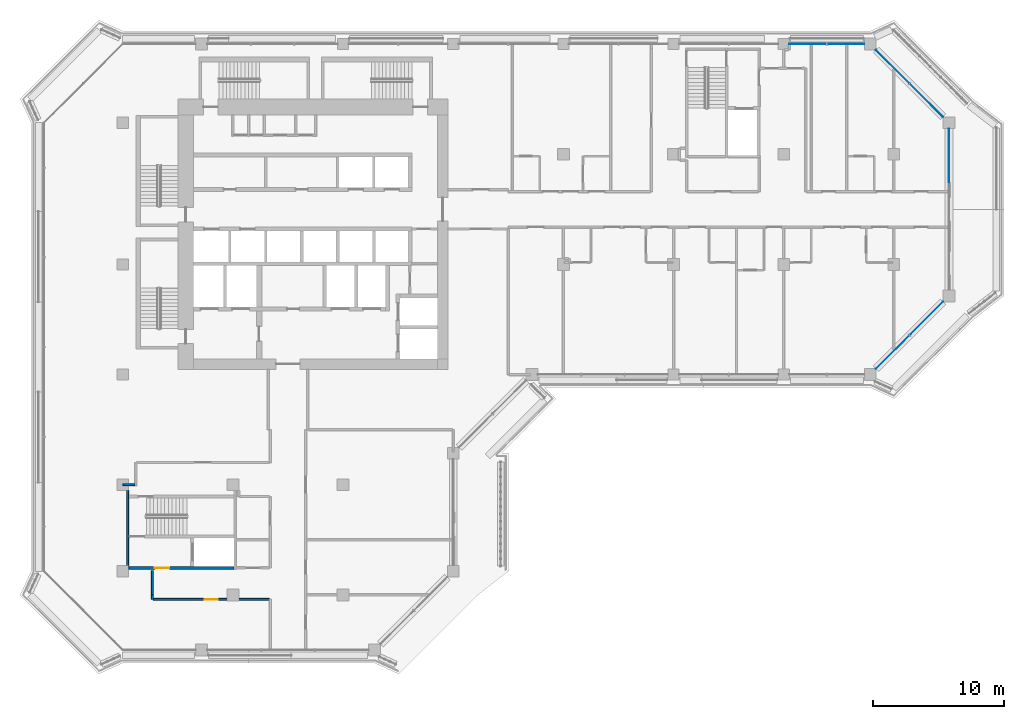
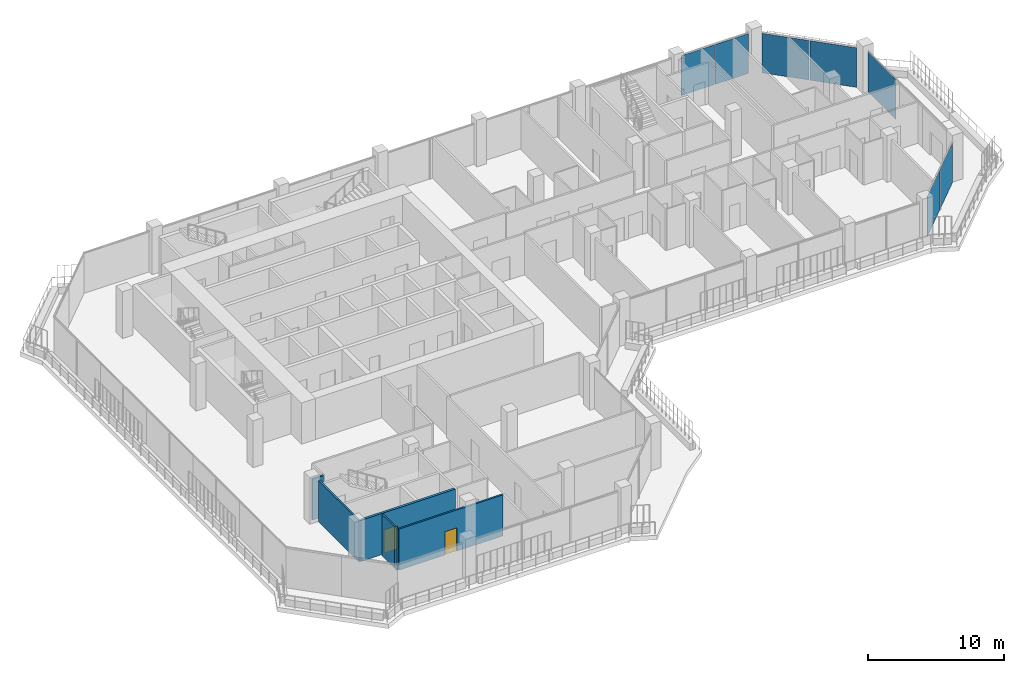
# One storey, part 9 of 23: 7 plates, 6 walls, 2 doors, 2 openings, 4 elements without a shape of their own.
"""IFC4 building model written with IfcOpenShell, lengths in metres."""

from ifc_helpers import new_model, si_unit, direction, frame, frame_2d, origin, origin_2d, place, context, subcontext, project, spatial, rectangle, extrude, material, layer, layer_set, type_object, element, fill, aggregate, save


model = new_model("IFC4")

# Units and contexts
model_context = context("Model", 3, precision=1e-05, world=origin(), true_north=direction((0.0, 1.0)))
body_context = subcontext(model_context, "Body", "Model", "MODEL_VIEW")
ifc_project = project(units=[si_unit("LENGTHUNIT", "METRE"), si_unit("AREAUNIT", "SQUARE_METRE"), si_unit("VOLUMEUNIT", "CUBIC_METRE"), si_unit("PLANEANGLEUNIT", "RADIAN"), si_unit("MASSUNIT", "GRAM", prefix="KILO")], contexts=[model_context])

# Site, building, storey
site_placement = place(None, origin())
site = spatial("IfcSite", under=ifc_project, at=site_placement, CompositionType="ELEMENT")
building_placement = place(site_placement, origin())
building = spatial("IfcBuilding", under=site, at=building_placement, Name="Kawkab Arch Medical Tower", CompositionType="ELEMENT")
storey_placement = place(building_placement, frame((0.0, 0.0, 268.39990234375)))
storey = spatial("IfcBuildingStorey", under=building, at=storey_placement, Name="L62", CompositionType="ELEMENT", Elevation=268.39990234375)

# Curtain wall, plate
ifc_material_1 = material(Name="Bronze anodised aluminium curtain wall frame", Category="aluminium")
ifc_layer_1 = layer(ifc_material_1, 0.159912109375)
ifc_layer_set_1 = layer_set([ifc_layer_1], Name="Bronze anodised aluminium curtain wall frame")
curtain_wall_type_1 = type_object("IfcCurtainWallType", Name="CW1 ward curtain wall", PredefinedType="NOTDEFINED", material=ifc_layer_set_1)
placement = place(storey_placement, origin())
curtain_wall_1 = element("IfcCurtainWall", 1, at=placement, inside=storey, type_object=curtain_wall_type_1, Name="CW1 Ward curtain wall R09", PredefinedType="NOTDEFINED")
ifc_material_2 = material(Name="Tinted insulating glass, bronze low-e coating", Category="glass")
ifc_layer_2 = layer(ifc_material_2, 0.031982421875)
ifc_layer_set_2 = layer_set([ifc_layer_2], Name="Tinted insulating glass, bronze low-e coating")
plate_type_1 = type_object("IfcPlateType", Name="CW1 glazing unit 32", PredefinedType="CURTAIN_PANEL", material=ifc_layer_set_2)
plate_1_placement = place(storey_placement, frame((63.0, -8.5, 0.0), z_axis=(0.0, 0.0, 1.0), x_axis=(0.0, 1.0, 0.0)))
plate_1 = element("IfcPlate", 2, at=plate_1_placement, type_object=plate_type_1, Name="CW1 glazing unit 1.3", PredefinedType="CURTAIN_PANEL", context=body_context, shape_type="SweptSolid", body=[
    extrude(rectangle(XDim=4.10009765625, YDim=0.031982421875, at=origin_2d()), origin(), (0.0, 0.0, 1.0), 3.580078125),
])
aggregate(curtain_wall_1, [plate_1])

# Curtain wall, plates
curtain_wall_2 = element("IfcCurtainWall", 3, at=placement, inside=storey, type_object=curtain_wall_type_1, Name="CW1 Ward curtain wall R11", PredefinedType="NOTDEFINED")
plate_2_placement = place(storey_placement, frame((55.1337890625, 0.0, 0.0), z_axis=(0.0, 0.0, 1.0), x_axis=(-1.0, 0.0, 0.0)))
plate_2 = element("IfcPlate", 4, at=plate_2_placement, type_object=plate_type_1, Name="CW1 glazing unit 1.1", PredefinedType="CURTAIN_PANEL", context=body_context, shape_type="SweptSolid", body=[
    extrude(rectangle(XDim=2.83251953125, YDim=0.031982421875, at=origin_2d()), origin(), (0.0, 0.0, 1.0), 3.580078125),
])
plate_3_placement = place(storey_placement, frame((52.2412109375, 0.0, 0.0), z_axis=(0.0, 0.0, 1.0), x_axis=(-1.0, 0.0, 0.0)))
plate_3 = element("IfcPlate", 5, at=plate_3_placement, type_object=plate_type_1, Name="CW1 glazing unit 1.2", PredefinedType="CURTAIN_PANEL", context=body_context, shape_type="SweptSolid", body=[
    extrude(rectangle(XDim=2.83251953125, YDim=0.031982421875, at=origin_2d()), origin(), (0.0, 0.0, 1.0), 3.580078125),
])
aggregate(curtain_wall_2, [plate_2, plate_3])

ifc_material_3 = material(Name="Bronze anodised aluminium curtain wall frame", Category="aluminium")
ifc_layer_3 = layer(ifc_material_3, 0.159912109375)
ifc_layer_set_3 = layer_set([ifc_layer_3], Name="Bronze anodised aluminium curtain wall frame")
curtain_wall_type_2 = type_object("IfcCurtainWallType", Name="CW2 chamfer curtain wall", PredefinedType="NOTDEFINED", material=ifc_layer_set_3)
curtain_wall_3 = element("IfcCurtainWall", 6, at=placement, inside=storey, type_object=curtain_wall_type_2, Name="CW2 Chamfer curtain wall R08", PredefinedType="NOTDEFINED")
ifc_material_4 = material(Name="Tinted insulating glass, bronze low-e coating", Category="glass")
ifc_layer_4 = layer(ifc_material_4, 0.031982421875)
ifc_layer_set_4 = layer_set([ifc_layer_4], Name="Tinted insulating glass, bronze low-e coating")
plate_type_2 = type_object("IfcPlateType", Name="CW2 glazing unit 32", PredefinedType="CURTAIN_PANEL", material=ifc_layer_set_4)
plate_4_placement = place(storey_placement, frame((58.71435546875, -23.485595703125, 0.0), z_axis=(0.0, 0.0, 1.0), x_axis=(0.707106781187, 0.707106781187, 0.0)))
plate_4 = element("IfcPlate", 7, at=plate_4_placement, type_object=plate_type_2, Name="CW2 glazing unit 1.1", PredefinedType="CURTAIN_PANEL", context=body_context, shape_type="SweptSolid", body=[
    extrude(rectangle(XDim=3.576171875, YDim=0.031982421875, at=origin_2d()), origin(), (0.0, 0.0, 1.0), 3.56005859375),
])
plate_5_placement = place(storey_placement, frame((61.28564453125, -20.914306640625, 0.0), z_axis=(0.0, 0.0, 1.0), x_axis=(0.707106781187, 0.707106781187, 0.0)))
plate_5 = element("IfcPlate", 8, at=plate_5_placement, type_object=plate_type_2, Name="CW2 glazing unit 1.2", PredefinedType="CURTAIN_PANEL", context=body_context, shape_type="SweptSolid", body=[
    extrude(rectangle(XDim=3.576171875, YDim=0.031982421875, at=origin_2d()), origin(), (0.0, 0.0, 1.0), 3.56005859375),
])
aggregate(curtain_wall_3, [plate_4, plate_5])

curtain_wall_4 = element("IfcCurtainWall", 9, at=placement, inside=storey, type_object=curtain_wall_type_2, Name="CW2 Chamfer curtain wall R10", PredefinedType="NOTDEFINED")
plate_6_placement = place(storey_placement, frame((61.28564453125, -4.28564453125, 0.0), z_axis=(0.0, 0.0, 1.0), x_axis=(-0.707106781187, 0.707106781187, 0.0)))
plate_6 = element("IfcPlate", 10, at=plate_6_placement, type_object=plate_type_2, Name="CW2 glazing unit 1.1", PredefinedType="CURTAIN_PANEL", context=body_context, shape_type="SweptSolid", body=[
    extrude(rectangle(XDim=3.576171875, YDim=0.031982421875, at=origin_2d()), origin(), (0.0, 0.0, 1.0), 3.56005859375),
])
plate_7_placement = place(storey_placement, frame((58.71435546875, -1.71435546875, 0.0), z_axis=(0.0, 0.0, 1.0), x_axis=(-0.707106781187, 0.707106781187, 0.0)))
plate_7 = element("IfcPlate", 11, at=plate_7_placement, type_object=plate_type_2, Name="CW2 glazing unit 1.2", PredefinedType="CURTAIN_PANEL", context=body_context, shape_type="SweptSolid", body=[
    extrude(rectangle(XDim=3.576171875, YDim=0.031982421875, at=origin_2d()), origin(), (0.0, 0.0, 1.0), 3.56005859375),
])
aggregate(curtain_wall_4, [plate_6, plate_7])

# Wall, opening, door
ifc_material_5 = material(Name="Gypsum board partition on steel studs, mineral wool", Category="steel")
ifc_layer_5 = layer(ifc_material_5, 0.14990234375)
ifc_layer_set_5 = layer_set([ifc_layer_5], Name="Gypsum board partition on steel studs, mineral wool")
wall_type_1 = type_object("IfcWallType", Name="Partition 150", PredefinedType="PARTITIONING", material=ifc_layer_set_5)
wall_1_placement = place(storey_placement, frame((2.327880859375, -42.35009765625, 0.0), z_axis=(0.0, 0.0, 1.0), x_axis=(1.0, 0.0, 0.0)))
wall_1 = element("IfcWall", 12, at=wall_1_placement, inside=storey, type_object=wall_type_1, Name="Partition 150 w019", PredefinedType="PARTITIONING", context=body_context, shape_type="SweptSolid", body=[
    extrude(rectangle(XDim=8.84716796875, YDim=0.14990234375, at=frame_2d((4.423583984375, 0.0))), origin(), (0.0, 0.0, 1.0), 3.7001953125),
])
opening_1_placement = place(wall_1_placement, frame((3.924072265625, 0.0, 0.0)))
opening_1 = element("IfcOpeningElement", 13, at=opening_1_placement, cuts=wall_1, Name="Opening W57-015", PredefinedType="OPENING", context=body_context, shape_type="SweptSolid", body=[
    extrude(rectangle(XDim=1.0, YDim=2.10009765625, at=frame_2d((0.5, 1.050048828125))), frame((0.0, 0.0849609375, 0.0), z_axis=(0.0, -1.0, 0.0), x_axis=(1.0, 0.0, 0.0)), (0.0, 0.0, 1.0), 0.169921875),
])
ifc_material_6 = material(Name="Hollow metal door leaf")
door_type_1 = type_object("IfcDoorType", Name="Single door 1000x2100 FD30S", OperationType="NOTDEFINED", PredefinedType="DOOR", material=ifc_material_6)
door_1_placement = place(opening_1_placement, origin())
door_1 = element("IfcDoor", 14, at=door_1_placement, inside=storey, type_object=door_type_1, Name="Door W57-015", OperationType="SINGLE_SWING_LEFT", OverallHeight=2.10009765625, OverallWidth=1.0, PredefinedType="DOOR", context=body_context, shape_type="SweptSolid", body=[
    extrude(rectangle(XDim=1.0, YDim=2.10009765625, at=frame_2d((0.5, 1.050048828125))), frame((0.0, 0.02490234375, 0.0), z_axis=(0.0, -1.0, 0.0), x_axis=(1.0, 0.0, 0.0)), (0.0, 0.0, 1.0), 0.050048828125),
])
fill(opening_1, door_1)

# Walls
wall_2_placement = place(storey_placement, frame((0.006103515625, -33.60009765625, 0.0), z_axis=(0.0, 0.0, 1.0), x_axis=(1.0, 0.0, 0.0)))
element("IfcWall", 15, at=wall_2_placement, inside=storey, type_object=wall_type_1, Name="Partition 150 w025", PredefinedType="PARTITIONING", context=body_context, shape_type="SweptSolid", body=[
    extrude(rectangle(XDim=0.94384765625, YDim=0.14990234375, at=frame_2d((0.471923828125, 0.0))), origin(), (0.0, 0.0, 1.0), 3.7001953125),
])
wall_3_placement = place(storey_placement, frame((2.25, -42.345947265625, 0.0), z_axis=(0.0, 0.0, 1.0), x_axis=(0.0, 1.0, 0.0)))
element("IfcWall", 16, at=wall_3_placement, inside=storey, type_object=wall_type_1, Name="Partition 150 w043", PredefinedType="PARTITIONING", context=body_context, shape_type="SweptSolid", body=[
    extrude(rectangle(XDim=0.345947265625, YDim=0.14990234375, at=frame_2d((0.1728515625, 0.0))), origin(), (0.0, 0.0, 1.0), 3.7001953125),
])
wall_4_placement = place(storey_placement, frame((2.25, -41.97998046875, 0.0), z_axis=(0.0, 0.0, 1.0), x_axis=(0.0, 1.0, 0.0)))
element("IfcWall", 17, at=wall_4_placement, inside=storey, type_object=wall_type_1, Name="Partition 150 w044", PredefinedType="PARTITIONING", context=body_context, shape_type="SweptSolid", body=[
    extrude(rectangle(XDim=1.830078125, YDim=0.14990234375, at=frame_2d((0.9150390625, 0.0))), origin(), (0.0, 0.0, 1.0), 3.7001953125),
])
ifc_material_7 = material(Name="Concrete C50/60", Category="concrete")
ifc_layer_6 = layer(ifc_material_7, 0.14990234375)
ifc_layer_set_6 = layer_set([ifc_layer_6], Name="Concrete C50/60")
wall_type_2 = type_object("IfcWallType", Name="Stair enclosure wall 150 C50/60", PredefinedType="SHEAR", material=ifc_layer_set_6)
wall_5_placement = place(storey_placement, frame((0.375, -40.050048828125, 0.0), z_axis=(0.0, 0.0, 1.0), x_axis=(0.0, 1.0, 0.0)))
element("IfcWall", 18, at=wall_5_placement, inside=storey, type_object=wall_type_2, Name="L62 stair enclosure wall", PredefinedType="SHEAR", context=body_context, shape_type="SweptSolid", body=[
    extrude(rectangle(XDim=6.025146484375, YDim=0.14990234375, at=frame_2d((3.0126953125, 0.0))), origin(), (0.0, 0.0, 1.0), 3.7001953125),
])

# Wall, opening, door
ifc_material_8 = material(Name="Concrete C50/60", Category="concrete")
ifc_layer_7 = layer(ifc_material_8, 0.199951171875)
ifc_layer_set_7 = layer_set([ifc_layer_7], Name="Concrete C50/60")
wall_type_3 = type_object("IfcWallType", Name="Stair enclosure wall 200 C50/60", PredefinedType="SHEAR", material=ifc_layer_set_7)
wall_6_placement = place(storey_placement, frame((0.449951171875, -39.949951171875, 0.0), z_axis=(0.0, 0.0, 1.0), x_axis=(1.0, 0.0, 0.0)))
wall_6 = element("IfcWall", 19, at=wall_6_placement, inside=storey, type_object=wall_type_3, Name="L62 stair enclosure wall", PredefinedType="SHEAR", context=body_context, shape_type="SweptSolid", body=[
    extrude(rectangle(XDim=8.050048828125, YDim=0.199951171875, at=frame_2d((4.02490234375, 0.0))), origin(), (0.0, 0.0, 1.0), 3.7001953125),
])
opening_2_placement = place(wall_6_placement, frame((2.0, 0.0, 0.0)))
opening_2 = element("IfcOpeningElement", 20, at=opening_2_placement, cuts=wall_6, Name="Opening FD", PredefinedType="OPENING", context=body_context, shape_type="SweptSolid", body=[
    extrude(rectangle(XDim=1.10009765625, YDim=2.10009765625, at=frame_2d((0.550048828125, 1.050048828125))), frame((0.0, 0.10986328125, 0.0), z_axis=(0.0, -1.0, 0.0), x_axis=(1.0, 0.0, 0.0)), (0.0, 0.0, 1.0), 0.219970703125),
])
ifc_material_9 = material(Name="Hollow metal fire door leaf")
door_type_2 = type_object("IfcDoorType", Name="Firefighting lobby door 1100", OperationType="SINGLE_SWING_LEFT", PredefinedType="DOOR", material=ifc_material_9)
door_2_placement = place(opening_2_placement, origin())
door_2 = element("IfcDoor", 21, at=door_2_placement, inside=storey, type_object=door_type_2, Name="L62 Service lift lobby door SV2", OperationType="SINGLE_SWING_LEFT", OverallHeight=2.10009765625, OverallWidth=1.10009765625, PredefinedType="DOOR", context=body_context, shape_type="SweptSolid", body=[
    extrude(rectangle(XDim=1.10009765625, YDim=2.10009765625, at=frame_2d((0.550048828125, 1.050048828125))), frame((0.0, 0.02490234375, 0.0), z_axis=(0.0, -1.0, 0.0), x_axis=(1.0, 0.0, 0.0)), (0.0, 0.0, 1.0), 0.050048828125),
])
fill(opening_2, door_2)

save(model, "model.ifc")
